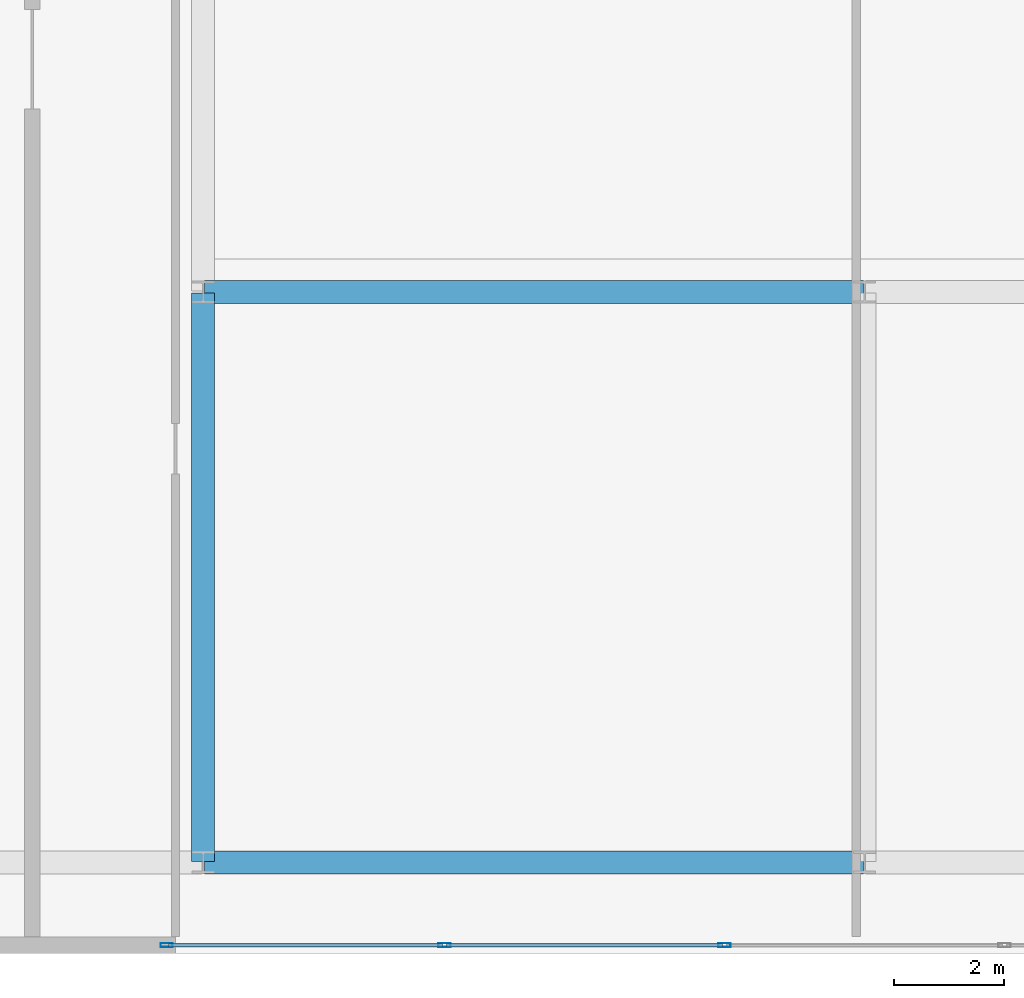
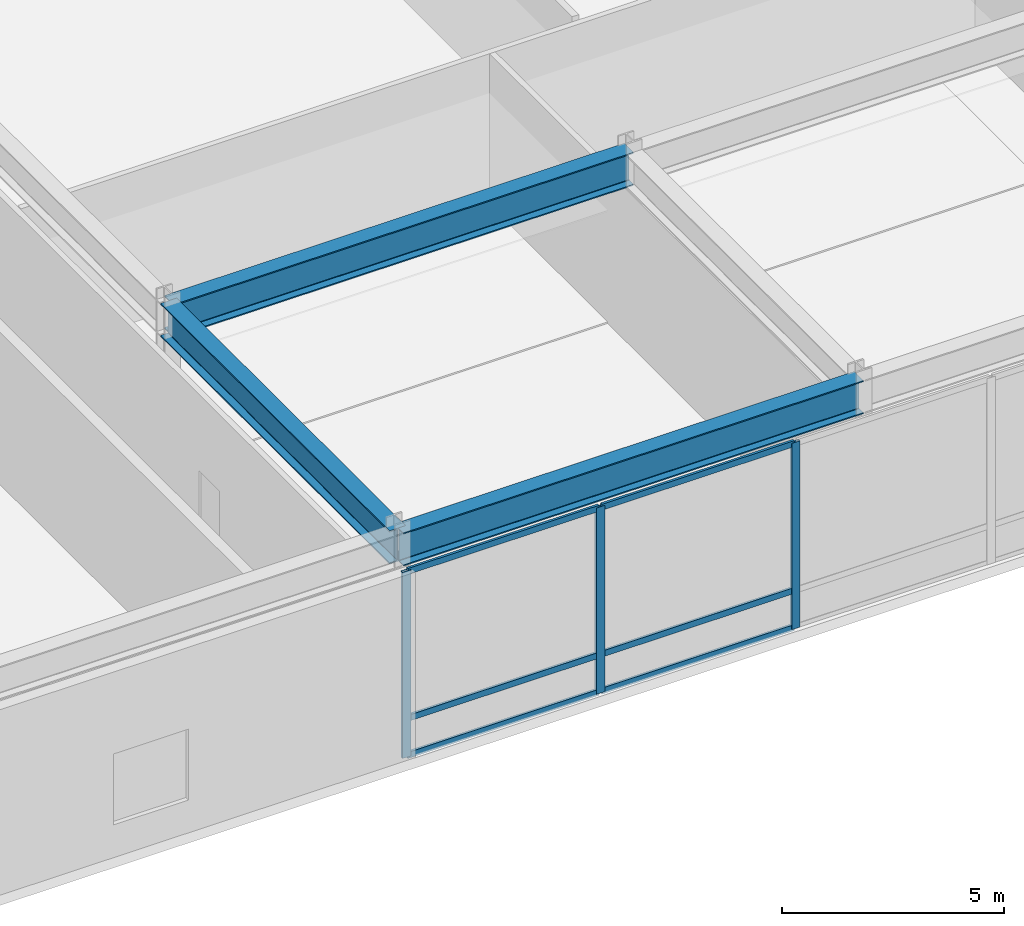
# One storey, part 4 of 12: 9 members, 3 beams, 1 element without a shape of its own.
"""IFC4 building model written with IfcOpenShell, lengths in metres."""

from ifc_helpers import new_model, si_unit, direction, frame, origin, origin_2d, place, context, subcontext, project, spatial, hollow_rectangle, i_section, extrude, source, transform, mapped, material, layer, layer_set, material_profile, profile_set, type_object, type_shapes, element, aggregate, save


model = new_model("IFC4")

# Units and contexts
model_context = context("Model", 3, precision=1e-05, world=origin(), true_north=direction((0.0, 1.0)))
body_context = subcontext(model_context, "Body", "Model", "MODEL_VIEW")
ifc_project = project(units=[si_unit("LENGTHUNIT", "METRE"), si_unit("AREAUNIT", "SQUARE_METRE"), si_unit("VOLUMEUNIT", "CUBIC_METRE"), si_unit("PLANEANGLEUNIT", "RADIAN"), si_unit("MASSUNIT", "GRAM", prefix="KILO")], contexts=[model_context])

# Site, building, storey
site_placement = place(None, origin())
site = spatial("IfcSite", under=ifc_project, at=site_placement, CompositionType="ELEMENT")
building_placement = place(site_placement, origin())
building = spatial("IfcBuilding", under=site, at=building_placement, Name="Varnel Quay Broadcast Tower", CompositionType="ELEMENT")
storey_placement = place(building_placement, frame((0.0, 0.0, 11.39990234375)))
storey = spatial("IfcBuildingStorey", under=building, at=storey_placement, Name="L02", CompositionType="ELEMENT", Elevation=11.39990234375)

# Beams
ifc_material_1 = material(Name="Structural Steel CSA G40.21 350W", Category="steel")
ifc_material_profile_1 = material_profile(ifc_material_1, i_section(OverallWidth=0.41796875, OverallDepth=0.912109375, WebThickness=0.019287109375, FlangeThickness=0.031982421875, FilletRadius=0.02197265625, at=origin_2d()), Name="W920X342")
ifc_profile_set_1 = profile_set([ifc_material_profile_1], Name="Structural Steel CSA G40.21 350W")
beam_type = type_object("IfcBeamType", Name="Girder_W920X342", PredefinedType="BEAM", material=ifc_profile_set_1)
shared_shape_1 = source(origin(), body_context, "Body", "SweptSolid", [
    extrude(i_section(OverallWidth=0.41796875, OverallDepth=0.912109375, WebThickness=0.019287109375, FlangeThickness=0.031982421875, FilletRadius=0.02197265625, at=origin_2d()), origin(), (0.0, 0.0, 1.0), 11.9599609375),
])
for number, where, z_axis, x_axis, name in (
    (1, (22.02001953125, 1.64990234375, 4.6640625), (1.0, 0.0, 0.0), (0.0, 1.0, 0.0), "L02 Girder G-PS2"),
    (2, (22.02001953125, 12.0, 4.6640625), (1.0, 0.0, 0.0), (0.0, 1.0, 0.0), "L02 Girder G-STC1A"),
):
    element("IfcBeam", number, at=place(storey_placement, frame(where, z_axis=z_axis, x_axis=x_axis)), inside=storey, type_object=beam_type, Name=name, PredefinedType="BEAM", context=body_context, shape_type="MappedRepresentation", body=[
        mapped(shared_shape_1, transform((0.0, 0.0, 0.0), x_axis=(1.0, 0.0, 0.0), y_axis=(0.0, 1.0, 0.0), z_axis=(0.0, 0.0, 1.0), scale=1.0)),
    ])
shared_shape_2 = source(origin(), body_context, "Body", "SweptSolid", [
    extrude(i_section(OverallWidth=0.41796875, OverallDepth=0.912109375, WebThickness=0.019287109375, FlangeThickness=0.031982421875, FilletRadius=0.02197265625, at=origin_2d()), origin(), (0.0, 0.0, 1.0), 10.31005859375),
])
type_shapes(beam_type, [shared_shape_1, shared_shape_2])
beam_placement = place(storey_placement, frame((22.0, 1.669921875, 4.6640625), z_axis=(0.0, 1.0, 0.0), x_axis=(-1.0, 0.0, 0.0)))
element("IfcBeam", 3, at=beam_placement, inside=storey, type_object=beam_type, Name="L02 Girder G-M1", PredefinedType="BEAM", context=body_context, shape_type="MappedRepresentation", body=[
    mapped(shared_shape_2, transform((0.0, 0.0, 0.0), x_axis=(1.0, 0.0, 0.0), y_axis=(0.0, 1.0, 0.0), z_axis=(0.0, 0.0, 1.0), scale=1.0)),
])

# Curtain wall, members
ifc_material_2 = material(Name="Anodised Bronze Aluminium 6063-T6", Category="aluminium")
ifc_layer = layer(ifc_material_2, 0.18994140625, Name="Anodised Bronze Aluminium 6063-T6")
ifc_layer_set = layer_set([ifc_layer], Name="Anodised Bronze Aluminium 6063-T6")
curtain_wall_type = type_object("IfcCurtainWallType", Name="CW_PodiumForum", PredefinedType="NOTDEFINED", material=ifc_layer_set)
curtain_wall_placement = place(storey_placement, origin())
curtain_wall = element("IfcCurtainWall", 4, at=curtain_wall_placement, inside=storey, type_object=curtain_wall_type, Name="L02 Waterfront Forum Curtain Wall", PredefinedType="NOTDEFINED")
ifc_material_profile_2 = material_profile(ifc_material_2, hollow_rectangle(XDim=0.074951171875, YDim=0.219970703125, WallThickness=0.00390625, at=origin_2d()), Name="ALU75X220X4")
ifc_profile_set_2 = profile_set([ifc_material_profile_2], Name="Anodised Bronze Aluminium 6063-T6")
member_type_1 = type_object("IfcMemberType", Name="Mull_CWS-01", PredefinedType="MULLION", material=ifc_profile_set_2)
shared_shape_3 = source(origin(), body_context, "Body", "SweptSolid", [
    extrude(hollow_rectangle(XDim=0.074951171875, YDim=0.219970703125, WallThickness=0.00390625, at=origin_2d()), origin(), (0.0, 0.0, 1.0), 5.1201171875),
])
type_shapes(member_type_1, [shared_shape_3])
member_1_placement = place(storey_placement, frame((21.33740234375, 0.14990234375, 0.0), z_axis=(0.0, 0.0, 1.0), x_axis=(0.0, 1.0, 0.0)))
member_1 = element("IfcMember", 5, at=member_1_placement, type_object=member_type_1, Name="CWS-01 mullion 1", PredefinedType="MULLION", context=body_context, shape_type="MappedRepresentation", body=[
    mapped(shared_shape_3, transform((0.0, 0.0, 0.0), x_axis=(1.0, 0.0, 0.0), y_axis=(0.0, 1.0, 0.0), z_axis=(0.0, 0.0, 1.0), scale=1.0)),
])
member_2_placement = place(storey_placement, frame((26.3798828125, 0.14990234375, 0.0), z_axis=(0.0, 0.0, 1.0), x_axis=(0.0, 1.0, 0.0)))
member_2 = element("IfcMember", 6, at=member_2_placement, type_object=member_type_1, Name="CWS-01 mullion 2", PredefinedType="MULLION", context=body_context, shape_type="MappedRepresentation", body=[
    mapped(shared_shape_3, transform((0.0, 0.0, 0.0), x_axis=(1.0, 0.0, 0.0), y_axis=(0.0, 1.0, 0.0), z_axis=(0.0, 0.0, 1.0), scale=1.0)),
])
member_3_placement = place(storey_placement, frame((31.4599609375, 0.14990234375, 0.0), z_axis=(0.0, 0.0, 1.0), x_axis=(0.0, 1.0, 0.0)))
member_3 = element("IfcMember", 7, at=member_3_placement, type_object=member_type_1, Name="CWS-01 mullion 3", PredefinedType="MULLION", context=body_context, shape_type="MappedRepresentation", body=[
    mapped(shared_shape_3, transform((0.0, 0.0, 0.0), x_axis=(1.0, 0.0, 0.0), y_axis=(0.0, 1.0, 0.0), z_axis=(0.0, 0.0, 1.0), scale=1.0)),
])
ifc_material_profile_3 = material_profile(ifc_material_2, hollow_rectangle(XDim=0.06494140625, YDim=0.1650390625, WallThickness=0.00341796875, at=origin_2d()), Name="ALU65X165X3.5")
ifc_profile_set_3 = profile_set([ifc_material_profile_3], Name="Anodised Bronze Aluminium 6063-T6")
member_type_2 = type_object("IfcMemberType", Name="Tran_CWS-01", PredefinedType="USERDEFINED", material=ifc_profile_set_3)
shared_shape_4 = source(origin(), body_context, "Body", "SweptSolid", [
    extrude(hollow_rectangle(XDim=0.06494140625, YDim=0.1650390625, WallThickness=0.00341796875, at=origin_2d()), origin(), (0.0, 0.0, 1.0), 4.967529296875),
])
member_4_placement = place(storey_placement, frame((21.375, 0.14990234375, 0.03271484375), z_axis=(1.0, 0.0, 0.0), x_axis=(0.0, 1.0, 0.0)))
member_4 = element("IfcMember", 8, at=member_4_placement, type_object=member_type_2, Name="CWS-01 transom 1.1", ObjectType="TRANSOM", PredefinedType="USERDEFINED", context=body_context, shape_type="MappedRepresentation", body=[
    mapped(shared_shape_4, transform((0.0, 0.0, 0.0), x_axis=(1.0, 0.0, 0.0), y_axis=(0.0, 1.0, 0.0), z_axis=(0.0, 0.0, 1.0), scale=1.0)),
])
member_5_placement = place(storey_placement, frame((21.375, 0.14990234375, 1.050048828125), z_axis=(1.0, 0.0, 0.0), x_axis=(0.0, 1.0, 0.0)))
member_5 = element("IfcMember", 9, at=member_5_placement, type_object=member_type_2, Name="CWS-01 transom 1.2", ObjectType="TRANSOM", PredefinedType="USERDEFINED", context=body_context, shape_type="MappedRepresentation", body=[
    mapped(shared_shape_4, transform((0.0, 0.0, 0.0), x_axis=(1.0, 0.0, 0.0), y_axis=(0.0, 1.0, 0.0), z_axis=(0.0, 0.0, 1.0), scale=1.0)),
])
member_6_placement = place(storey_placement, frame((21.375, 0.14990234375, 5.087646484375), z_axis=(1.0, 0.0, 0.0), x_axis=(0.0, 1.0, 0.0)))
member_6 = element("IfcMember", 10, at=member_6_placement, type_object=member_type_2, Name="CWS-01 transom 1.3", ObjectType="TRANSOM", PredefinedType="USERDEFINED", context=body_context, shape_type="MappedRepresentation", body=[
    mapped(shared_shape_4, transform((0.0, 0.0, 0.0), x_axis=(1.0, 0.0, 0.0), y_axis=(0.0, 1.0, 0.0), z_axis=(0.0, 0.0, 1.0), scale=1.0)),
])
shared_shape_5 = source(origin(), body_context, "Body", "SweptSolid", [
    extrude(hollow_rectangle(XDim=0.06494140625, YDim=0.1650390625, WallThickness=0.00341796875, at=origin_2d()), origin(), (0.0, 0.0, 1.0), 5.005126953125),
])
type_shapes(member_type_2, [shared_shape_4, shared_shape_5])
member_7_placement = place(storey_placement, frame((26.41748046875, 0.14990234375, 0.03271484375), z_axis=(1.0, 0.0, 0.0), x_axis=(0.0, 1.0, 0.0)))
member_7 = element("IfcMember", 11, at=member_7_placement, type_object=member_type_2, Name="CWS-01 transom 2.1", ObjectType="TRANSOM", PredefinedType="USERDEFINED", context=body_context, shape_type="MappedRepresentation", body=[
    mapped(shared_shape_5, transform((0.0, 0.0, 0.0), x_axis=(1.0, 0.0, 0.0), y_axis=(0.0, 1.0, 0.0), z_axis=(0.0, 0.0, 1.0), scale=1.0)),
])
member_8_placement = place(storey_placement, frame((26.41748046875, 0.14990234375, 1.050048828125), z_axis=(1.0, 0.0, 0.0), x_axis=(0.0, 1.0, 0.0)))
member_8 = element("IfcMember", 12, at=member_8_placement, type_object=member_type_2, Name="CWS-01 transom 2.2", ObjectType="TRANSOM", PredefinedType="USERDEFINED", context=body_context, shape_type="MappedRepresentation", body=[
    mapped(shared_shape_5, transform((0.0, 0.0, 0.0), x_axis=(1.0, 0.0, 0.0), y_axis=(0.0, 1.0, 0.0), z_axis=(0.0, 0.0, 1.0), scale=1.0)),
])
member_9_placement = place(storey_placement, frame((26.41748046875, 0.14990234375, 5.087646484375), z_axis=(1.0, 0.0, 0.0), x_axis=(0.0, 1.0, 0.0)))
member_9 = element("IfcMember", 13, at=member_9_placement, type_object=member_type_2, Name="CWS-01 transom 2.3", ObjectType="TRANSOM", PredefinedType="USERDEFINED", context=body_context, shape_type="MappedRepresentation", body=[
    mapped(shared_shape_5, transform((0.0, 0.0, 0.0), x_axis=(1.0, 0.0, 0.0), y_axis=(0.0, 1.0, 0.0), z_axis=(0.0, 0.0, 1.0), scale=1.0)),
])
aggregate(curtain_wall, [member_1, member_2, member_3, member_4, member_5, member_6, member_7, member_8, member_9])

save(model, "model.ifc")
